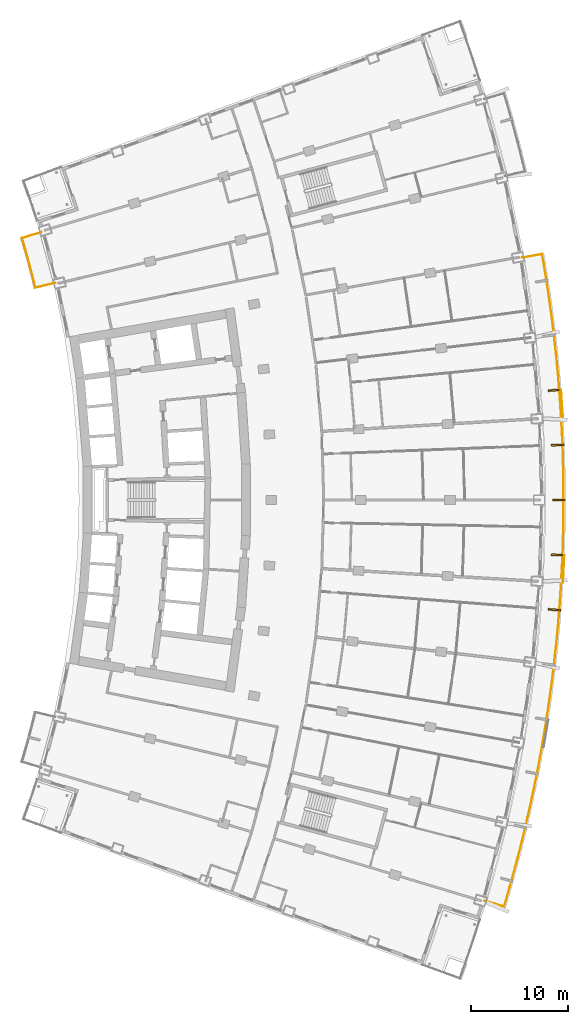
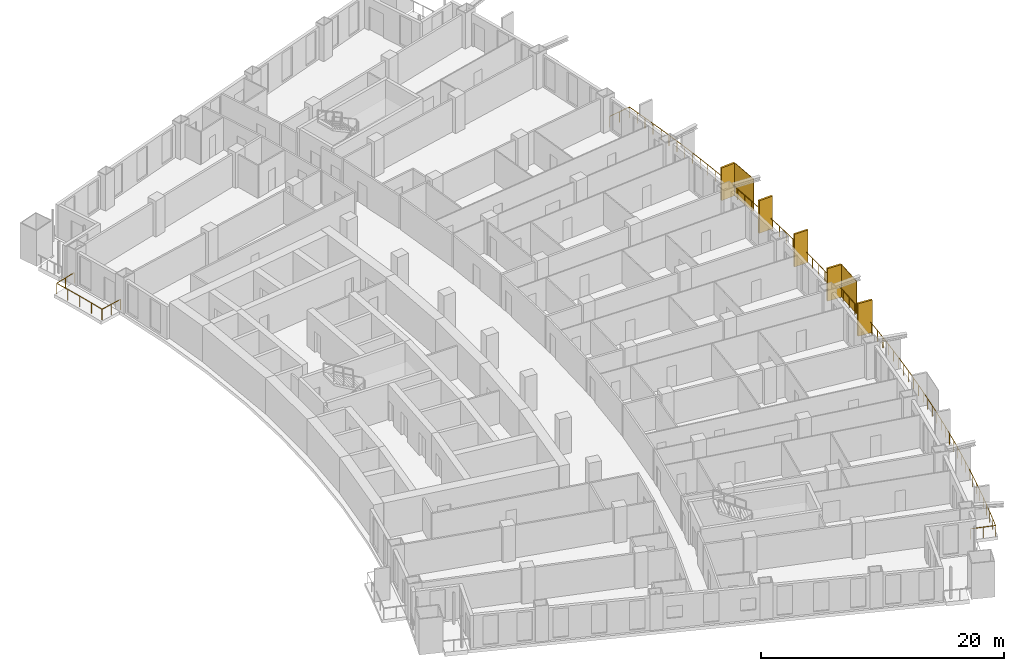
# One storey, part 24 of 25: 7 shading devices, 2 railings.
"""IFC4 building model written with IfcOpenShell, lengths in metres."""

from ifc_helpers import new_model, si_unit, direction, frame, origin, origin_2d, place, context, subcontext, project, spatial, rectangle, extrude, material, layer, layer_set, type_object, element, save


model = new_model("IFC4")

# Units and contexts
model_context = context("Model", 3, precision=1e-05, world=origin(), true_north=direction((0.0, 1.0)))
body_context = subcontext(model_context, "Body", "Model", "MODEL_VIEW")
ifc_project = project(units=[si_unit("LENGTHUNIT", "METRE"), si_unit("AREAUNIT", "SQUARE_METRE"), si_unit("VOLUMEUNIT", "CUBIC_METRE"), si_unit("PLANEANGLEUNIT", "RADIAN"), si_unit("MASSUNIT", "GRAM", prefix="KILO")], contexts=[model_context])

# Site, building, storey
site_placement = place(None, origin())
site = spatial("IfcSite", under=ifc_project, at=site_placement, CompositionType="ELEMENT")
building_placement = place(site_placement, origin())
building = spatial("IfcBuilding", under=site, at=building_placement, Name="Alderwake Tower", CompositionType="ELEMENT")
storey_placement = place(building_placement, frame((0.0, 0.0, 35.60009765625)))
storey = spatial("IfcBuildingStorey", under=building, at=storey_placement, Name="L07", CompositionType="ELEMENT", Elevation=35.60009765625)

# Railings
ifc_material_1 = material(Name="Stainless steel 316 rail and posts", Category="steel")
railing_type = type_object("IfcRailingType", Name="Balcony guard 1100", PredefinedType="GUARDRAIL", material=ifc_material_1)
railing_1_placement = place(storey_placement, frame((57.755126953125, 19.744873046875, 0.0)))
element("IfcRailing", 1, at=railing_1_placement, inside=storey, type_object=railing_type, Name="Guard BF02", PredefinedType="GUARDRAIL", context=body_context, shape_type="SweptSolid", body=[
    extrude(rectangle(XDim=0.048095703125, YDim=0.048095703125, at=origin_2d()), frame((0.0, 0.0, 1.076171875), z_axis=(0.957954179098, -0.286921227429, 0.0), x_axis=(0.286921227429, 0.957954179098, 0.0)), (0.0, 0.0, 1.0), 2.10009765625),
    extrude(rectangle(XDim=0.048095703125, YDim=0.048095703125, at=origin_2d()), frame((2.01171875, -0.6025390625, 1.076171875), z_axis=(0.280171060033, 0.959950090953, 0.0), x_axis=(-0.959950090953, 0.280171060033, 0.0)), (0.0, 0.0, 1.0), 2.02783203125),
    extrude(rectangle(XDim=0.048095703125, YDim=0.048095703125, at=origin_2d()), frame((2.579833984375, 1.343994140625, 1.076171875), z_axis=(0.266542966144, 0.963823037284, 0.0), x_axis=(-0.963823037284, 0.266542966144, 0.0)), (0.0, 0.0, 1.0), 2.127685546875),
    extrude(rectangle(XDim=0.048095703125, YDim=0.048095703125, at=origin_2d()), frame((3.14697265625, 3.394775390625, 1.076171875), z_axis=(0.252459268242, 0.967607522645, 0.0), x_axis=(-0.967607522645, 0.252459268242, 0.0)), (0.0, 0.0, 1.0), 2.12744140625),
    extrude(rectangle(XDim=0.048095703125, YDim=0.048095703125, at=origin_2d()), frame((3.68408203125, 5.453369140625, 1.076171875), z_axis=(0.238321589678, 0.971186295153, 0.0), x_axis=(-0.971186295153, 0.238321589678, 0.0)), (0.0, 0.0, 1.0), 2.127685546875),
    extrude(rectangle(XDim=0.048095703125, YDim=0.048095703125, at=origin_2d()), frame((4.191162109375, 7.519775390625, 1.076171875), z_axis=(0.22408012989, 0.974570723646, 0.0), x_axis=(-0.974570723646, 0.22408012989, 0.0)), (0.0, 0.0, 1.0), 2.1279296875),
    extrude(rectangle(XDim=0.048095703125, YDim=0.048095703125, at=origin_2d()), frame((4.66796875, 9.593505859375, 1.076171875), z_axis=(0.209866030644, 0.977730151515, 0.0), x_axis=(-0.977730151515, 0.209866030644, 0.0)), (0.0, 0.0, 1.0), 2.127685546875),
    extrude(rectangle(XDim=0.048095703125, YDim=0.048095703125, at=origin_2d()), frame((5.114501953125, 11.673828125, 1.076171875), z_axis=(0.195652690442, 0.980673250743, 0.0), x_axis=(-0.980673250743, 0.195652690442, 0.0)), (0.0, 0.0, 1.0), 2.12744140625),
    extrude(rectangle(XDim=0.048095703125, YDim=0.048095703125, at=origin_2d()), frame((5.53076171875, 13.76025390625, 1.076171875), z_axis=(0.1812880033, 0.98343004828, 0.0), x_axis=(-0.98343004828, 0.1812880033, 0.0)), (0.0, 0.0, 1.0), 2.127685546875),
    extrude(rectangle(XDim=0.048095703125, YDim=0.048095703125, at=origin_2d()), frame((5.91650390625, 15.852783203125, 1.076171875), z_axis=(0.166947539814, 0.985965779807, 0.0), x_axis=(-0.985965779807, 0.166947539814, 0.0)), (0.0, 0.0, 1.0), 2.127685546875),
    extrude(rectangle(XDim=0.048095703125, YDim=0.048095703125, at=origin_2d()), frame((6.271728515625, 17.95068359375, 1.076171875), z_axis=(0.152496916834, 0.988303946343, 0.0), x_axis=(-0.988303946343, 0.152496916834, 0.0)), (0.0, 0.0, 1.0), 2.127685546875),
    extrude(rectangle(XDim=0.048095703125, YDim=0.048095703125, at=origin_2d()), frame((6.59619140625, 20.053466796875, 1.076171875), z_axis=(0.138046822125, 0.990425703877, 0.0), x_axis=(-0.990425703877, 0.138046822125, 0.0)), (0.0, 0.0, 1.0), 2.12744140625),
    extrude(rectangle(XDim=0.048095703125, YDim=0.048095703125, at=origin_2d()), frame((6.889892578125, 22.16064453125, 1.076171875), z_axis=(0.123695786423, 0.992320186442, 0.0), x_axis=(-0.992320186442, 0.123695786423, 0.0)), (0.0, 0.0, 1.0), 2.127685546875),
    extrude(rectangle(XDim=0.048095703125, YDim=0.048095703125, at=origin_2d()), frame((7.153076171875, 24.27197265625, 1.076171875), z_axis=(0.109121667916, 0.994028400797, 0.0), x_axis=(-0.994028400797, 0.109121667916, 0.0)), (0.0, 0.0, 1.0), 2.127685546875),
    extrude(rectangle(XDim=0.048095703125, YDim=0.048095703125, at=origin_2d()), frame((7.38525390625, 26.386962890625, 1.076171875), z_axis=(0.094662891104, 0.995509385716, 0.0), x_axis=(-0.995509385716, 0.094662891104, 0.0)), (0.0, 0.0, 1.0), 2.127685546875),
    extrude(rectangle(XDim=0.048095703125, YDim=0.048095703125, at=origin_2d()), frame((7.586669921875, 28.505126953125, 1.076171875), z_axis=(0.080091823172, 0.99678748982, 0.0), x_axis=(-0.99678748982, 0.080091823172, 0.0)), (0.0, 0.0, 1.0), 2.127685546875),
    extrude(rectangle(XDim=0.048095703125, YDim=0.048095703125, at=origin_2d()), frame((7.757080078125, 30.6259765625, 1.076171875), z_axis=(0.065635530774, 0.997843663657, 0.0), x_axis=(-0.997843663657, 0.065635530774, 0.0)), (0.0, 0.0, 1.0), 2.127685546875),
    extrude(rectangle(XDim=0.048095703125, YDim=0.048095703125, at=origin_2d()), frame((7.896728515625, 32.7490234375, 1.076171875), z_axis=(0.051059231835, 0.998695626727, 0.0), x_axis=(-0.998695626727, 0.051059231835, 0.0)), (0.0, 0.0, 1.0), 2.127685546875),
    extrude(rectangle(XDim=0.048095703125, YDim=0.048095703125, at=origin_2d()), frame((8.00537109375, 34.8740234375, 1.076171875), z_axis=(0.036375038735, 0.999338209295, 0.0), x_axis=(-0.999338209295, 0.036375038735, 0.0)), (0.0, 0.0, 1.0), 2.127685546875),
    extrude(rectangle(XDim=0.048095703125, YDim=0.048095703125, at=origin_2d()), frame((8.082763671875, 37.000244140625, 1.076171875), z_axis=(0.021916001925, 0.999759815586, 0.0), x_axis=(-0.999759815586, 0.021916001925, 0.0)), (0.0, 0.0, 1.0), 2.127685546875),
    extrude(rectangle(XDim=0.048095703125, YDim=0.048095703125, at=origin_2d()), frame((8.12939453125, 39.12744140625, 1.076171875), z_axis=(0.007228726789, 0.999973872413, 0.0), x_axis=(-0.999973872413, 0.007228726789, 0.0)), (0.0, 0.0, 1.0), 2.127685546875),
    extrude(rectangle(XDim=0.048095703125, YDim=0.048095703125, at=origin_2d()), frame((8.144775390625, 41.255126953125, 1.076171875), z_axis=(-0.007228726789, 0.999973872413, 0.0), x_axis=(-0.999973872413, -0.007228726789, 0.0)), (0.0, 0.0, 1.0), 2.127685546875),
    extrude(rectangle(XDim=0.048095703125, YDim=0.048095703125, at=origin_2d()), frame((8.12939453125, 43.3828125, 1.076171875), z_axis=(-0.021916001925, 0.999759815586, 0.0), x_axis=(-0.999759815586, -0.021916001925, 0.0)), (0.0, 0.0, 1.0), 2.127685546875),
    extrude(rectangle(XDim=0.048095703125, YDim=0.048095703125, at=origin_2d()), frame((8.082763671875, 45.510009765625, 1.076171875), z_axis=(-0.036375038735, 0.999338209295, 0.0), x_axis=(-0.999338209295, -0.036375038735, 0.0)), (0.0, 0.0, 1.0), 2.127685546875),
    extrude(rectangle(XDim=0.048095703125, YDim=0.048095703125, at=origin_2d()), frame((8.00537109375, 47.63623046875, 1.076171875), z_axis=(-0.051059231835, 0.998695626727, 0.0), x_axis=(-0.998695626727, -0.051059231835, 0.0)), (0.0, 0.0, 1.0), 2.127685546875),
    extrude(rectangle(XDim=0.048095703125, YDim=0.048095703125, at=origin_2d()), frame((7.896728515625, 49.76123046875, 1.076171875), z_axis=(-0.065635530774, 0.997843663657, 0.0), x_axis=(-0.997843663657, -0.065635530774, 0.0)), (0.0, 0.0, 1.0), 2.127685546875),
    extrude(rectangle(XDim=0.048095703125, YDim=0.048095703125, at=origin_2d()), frame((7.757080078125, 51.88427734375, 1.076171875), z_axis=(-0.080091823172, 0.99678748982, 0.0), x_axis=(-0.99678748982, -0.080091823172, 0.0)), (0.0, 0.0, 1.0), 2.127685546875),
    extrude(rectangle(XDim=0.048095703125, YDim=0.048095703125, at=origin_2d()), frame((7.586669921875, 54.005126953125, 1.076171875), z_axis=(-0.094662891104, 0.995509385716, 0.0), x_axis=(-0.995509385716, -0.094662891104, 0.0)), (0.0, 0.0, 1.0), 2.127685546875),
    extrude(rectangle(XDim=0.048095703125, YDim=0.048095703125, at=origin_2d()), frame((7.38525390625, 56.123291015625, 1.076171875), z_axis=(-0.109121667916, 0.994028400797, 0.0), x_axis=(-0.994028400797, -0.109121667916, 0.0)), (0.0, 0.0, 1.0), 2.127685546875),
    extrude(rectangle(XDim=0.048095703125, YDim=0.048095703125, at=origin_2d()), frame((7.153076171875, 58.23828125, 1.076171875), z_axis=(-0.123695786423, 0.992320186442, 0.0), x_axis=(-0.992320186442, -0.123695786423, 0.0)), (0.0, 0.0, 1.0), 2.127685546875),
    extrude(rectangle(XDim=0.048095703125, YDim=0.048095703125, at=origin_2d()), frame((6.889892578125, 60.349609375, 1.076171875), z_axis=(-0.138046822125, 0.990425703877, 0.0), x_axis=(-0.990425703877, -0.138046822125, 0.0)), (0.0, 0.0, 1.0), 2.12744140625),
    extrude(rectangle(XDim=0.048095703125, YDim=0.048095703125, at=origin_2d()), frame((6.59619140625, 62.456787109375, 1.076171875), z_axis=(-0.152496916834, 0.988303946343, 0.0), x_axis=(-0.988303946343, -0.152496916834, 0.0)), (0.0, 0.0, 1.0), 2.127685546875),
    extrude(rectangle(XDim=0.048095703125, YDim=0.048095703125, at=origin_2d()), frame((6.271728515625, 64.5595703125, 1.076171875), z_axis=(-0.166624216453, 0.986020471639, 0.0), x_axis=(-0.986020471639, -0.166624216453, 0.0)), (0.0, 0.0, 1.0), 2.02783203125),
    extrude(rectangle(XDim=0.048095703125, YDim=0.048095703125, at=origin_2d()), frame((5.933837890625, 66.55908203125, 1.076171875), z_axis=(-0.984840855066, -0.173460341844, 0.0), x_axis=(0.173460341844, -0.984840855066, 0.0)), (0.0, 0.0, 1.0), 2.099853515625),
    extrude(rectangle(XDim=0.0419921875, YDim=0.0419921875, at=origin_2d()), frame((0.0, 0.0, 0.0), z_axis=(0.0, 0.0, 1.0), x_axis=(0.957954179098, -0.286921227429, 0.0)), (0.0, 0.0, 1.0), 1.052001953125),
    extrude(rectangle(XDim=0.0419921875, YDim=0.0419921875, at=origin_2d()), frame((1.005859375, -0.30126953125, 0.0), z_axis=(0.0, 0.0, 1.0), x_axis=(0.957954179098, -0.286921227429, 0.0)), (0.0, 0.0, 1.0), 1.052001953125),
    extrude(rectangle(XDim=0.0419921875, YDim=0.0419921875, at=origin_2d()), frame((2.01171875, -0.6025390625, 0.0), z_axis=(0.0, 0.0, 1.0), x_axis=(0.280171060033, 0.959950090953, 0.0)), (0.0, 0.0, 1.0), 1.052001953125),
    extrude(rectangle(XDim=0.0419921875, YDim=0.0419921875, at=origin_2d()), frame((2.2958984375, 0.37060546875, 0.0), z_axis=(0.0, 0.0, 1.0), x_axis=(0.280171060033, 0.959950090953, 0.0)), (0.0, 0.0, 1.0), 1.052001953125),
    extrude(rectangle(XDim=0.0419921875, YDim=0.0419921875, at=origin_2d()), frame((2.579833984375, 1.343994140625, 0.0), z_axis=(0.0, 0.0, 1.0), x_axis=(0.266542966144, 0.963823037284, 0.0)), (0.0, 0.0, 1.0), 1.052001953125),
    extrude(rectangle(XDim=0.0419921875, YDim=0.0419921875, at=origin_2d()), frame((2.86328125, 2.369384765625, 0.0), z_axis=(0.0, 0.0, 1.0), x_axis=(0.266542966144, 0.963823037284, 0.0)), (0.0, 0.0, 1.0), 1.052001953125),
    extrude(rectangle(XDim=0.0419921875, YDim=0.0419921875, at=origin_2d()), frame((3.14697265625, 3.394775390625, 0.0), z_axis=(0.0, 0.0, 1.0), x_axis=(0.252459268242, 0.967607522645, 0.0)), (0.0, 0.0, 1.0), 1.052001953125),
    extrude(rectangle(XDim=0.0419921875, YDim=0.0419921875, at=origin_2d()), frame((3.41552734375, 4.424072265625, 0.0), z_axis=(0.0, 0.0, 1.0), x_axis=(0.252459268242, 0.967607522645, 0.0)), (0.0, 0.0, 1.0), 1.052001953125),
    extrude(rectangle(XDim=0.0419921875, YDim=0.0419921875, at=origin_2d()), frame((3.68408203125, 5.453369140625, 0.0), z_axis=(0.0, 0.0, 1.0), x_axis=(0.238321589678, 0.971186295153, 0.0)), (0.0, 0.0, 1.0), 1.052001953125),
    extrude(rectangle(XDim=0.0419921875, YDim=0.0419921875, at=origin_2d()), frame((3.9375, 6.486572265625, 0.0), z_axis=(0.0, 0.0, 1.0), x_axis=(0.238321589678, 0.971186295153, 0.0)), (0.0, 0.0, 1.0), 1.052001953125),
    extrude(rectangle(XDim=0.0419921875, YDim=0.0419921875, at=origin_2d()), frame((4.191162109375, 7.519775390625, 0.0), z_axis=(0.0, 0.0, 1.0), x_axis=(0.22408012989, 0.974570723646, 0.0)), (0.0, 0.0, 1.0), 1.052001953125),
    extrude(rectangle(XDim=0.0419921875, YDim=0.0419921875, at=origin_2d()), frame((4.4296875, 8.556640625, 0.0), z_axis=(0.0, 0.0, 1.0), x_axis=(0.22408012989, 0.974570723646, 0.0)), (0.0, 0.0, 1.0), 1.052001953125),
    extrude(rectangle(XDim=0.0419921875, YDim=0.0419921875, at=origin_2d()), frame((4.66796875, 9.593505859375, 0.0), z_axis=(0.0, 0.0, 1.0), x_axis=(0.209866030644, 0.977730151515, 0.0)), (0.0, 0.0, 1.0), 1.052001953125),
    extrude(rectangle(XDim=0.0419921875, YDim=0.0419921875, at=origin_2d()), frame((4.89111328125, 10.6337890625, 0.0), z_axis=(0.0, 0.0, 1.0), x_axis=(0.209866030644, 0.977730151515, 0.0)), (0.0, 0.0, 1.0), 1.052001953125),
    extrude(rectangle(XDim=0.0419921875, YDim=0.0419921875, at=origin_2d()), frame((5.114501953125, 11.673828125, 0.0), z_axis=(0.0, 0.0, 1.0), x_axis=(0.195652690442, 0.980673250743, 0.0)), (0.0, 0.0, 1.0), 1.052001953125),
    extrude(rectangle(XDim=0.0419921875, YDim=0.0419921875, at=origin_2d()), frame((5.32275390625, 12.717041015625, 0.0), z_axis=(0.0, 0.0, 1.0), x_axis=(0.195652690442, 0.980673250743, 0.0)), (0.0, 0.0, 1.0), 1.052001953125),
    extrude(rectangle(XDim=0.0419921875, YDim=0.0419921875, at=origin_2d()), frame((5.53076171875, 13.76025390625, 0.0), z_axis=(0.0, 0.0, 1.0), x_axis=(0.1812880033, 0.98343004828, 0.0)), (0.0, 0.0, 1.0), 1.052001953125),
    extrude(rectangle(XDim=0.0419921875, YDim=0.0419921875, at=origin_2d()), frame((5.7236328125, 14.806640625, 0.0), z_axis=(0.0, 0.0, 1.0), x_axis=(0.1812880033, 0.98343004828, 0.0)), (0.0, 0.0, 1.0), 1.052001953125),
    extrude(rectangle(XDim=0.0419921875, YDim=0.0419921875, at=origin_2d()), frame((5.91650390625, 15.852783203125, 0.0), z_axis=(0.0, 0.0, 1.0), x_axis=(0.166947539814, 0.985965779807, 0.0)), (0.0, 0.0, 1.0), 1.052001953125),
    extrude(rectangle(XDim=0.0419921875, YDim=0.0419921875, at=origin_2d()), frame((6.09423828125, 16.90185546875, 0.0), z_axis=(0.0, 0.0, 1.0), x_axis=(0.166947539814, 0.985965779807, 0.0)), (0.0, 0.0, 1.0), 1.052001953125),
    extrude(rectangle(XDim=0.0419921875, YDim=0.0419921875, at=origin_2d()), frame((6.271728515625, 17.95068359375, 0.0), z_axis=(0.0, 0.0, 1.0), x_axis=(0.152496916834, 0.988303946343, 0.0)), (0.0, 0.0, 1.0), 1.052001953125),
    extrude(rectangle(XDim=0.0419921875, YDim=0.0419921875, at=origin_2d()), frame((6.43408203125, 19.001953125, 0.0), z_axis=(0.0, 0.0, 1.0), x_axis=(0.152496916834, 0.988303946343, 0.0)), (0.0, 0.0, 1.0), 1.052001953125),
    extrude(rectangle(XDim=0.0419921875, YDim=0.0419921875, at=origin_2d()), frame((6.59619140625, 20.053466796875, 0.0), z_axis=(0.0, 0.0, 1.0), x_axis=(0.138046822125, 0.990425703877, 0.0)), (0.0, 0.0, 1.0), 1.052001953125),
    extrude(rectangle(XDim=0.0419921875, YDim=0.0419921875, at=origin_2d()), frame((6.7431640625, 21.10693359375, 0.0), z_axis=(0.0, 0.0, 1.0), x_axis=(0.138046822125, 0.990425703877, 0.0)), (0.0, 0.0, 1.0), 1.052001953125),
    extrude(rectangle(XDim=0.0419921875, YDim=0.0419921875, at=origin_2d()), frame((6.889892578125, 22.16064453125, 0.0), z_axis=(0.0, 0.0, 1.0), x_axis=(0.123695786423, 0.992320186442, 0.0)), (0.0, 0.0, 1.0), 1.052001953125),
    extrude(rectangle(XDim=0.0419921875, YDim=0.0419921875, at=origin_2d()), frame((7.021484375, 23.21630859375, 0.0), z_axis=(0.0, 0.0, 1.0), x_axis=(0.123695786423, 0.992320186442, 0.0)), (0.0, 0.0, 1.0), 1.052001953125),
    extrude(rectangle(XDim=0.0419921875, YDim=0.0419921875, at=origin_2d()), frame((7.153076171875, 24.27197265625, 0.0), z_axis=(0.0, 0.0, 1.0), x_axis=(0.109121667916, 0.994028400797, 0.0)), (0.0, 0.0, 1.0), 1.052001953125),
    extrude(rectangle(XDim=0.0419921875, YDim=0.0419921875, at=origin_2d()), frame((7.26904296875, 25.32958984375, 0.0), z_axis=(0.0, 0.0, 1.0), x_axis=(0.109121667916, 0.994028400797, 0.0)), (0.0, 0.0, 1.0), 1.052001953125),
    extrude(rectangle(XDim=0.0419921875, YDim=0.0419921875, at=origin_2d()), frame((7.38525390625, 26.386962890625, 0.0), z_axis=(0.0, 0.0, 1.0), x_axis=(0.094662891104, 0.995509385716, 0.0)), (0.0, 0.0, 1.0), 1.052001953125),
    extrude(rectangle(XDim=0.0419921875, YDim=0.0419921875, at=origin_2d()), frame((7.48583984375, 27.446044921875, 0.0), z_axis=(0.0, 0.0, 1.0), x_axis=(0.094662891104, 0.995509385716, 0.0)), (0.0, 0.0, 1.0), 1.052001953125),
    extrude(rectangle(XDim=0.0419921875, YDim=0.0419921875, at=origin_2d()), frame((7.586669921875, 28.505126953125, 0.0), z_axis=(0.0, 0.0, 1.0), x_axis=(0.080091823172, 0.99678748982, 0.0)), (0.0, 0.0, 1.0), 1.052001953125),
    extrude(rectangle(XDim=0.0419921875, YDim=0.0419921875, at=origin_2d()), frame((7.671875, 29.5654296875, 0.0), z_axis=(0.0, 0.0, 1.0), x_axis=(0.080091823172, 0.99678748982, 0.0)), (0.0, 0.0, 1.0), 1.052001953125),
    extrude(rectangle(XDim=0.0419921875, YDim=0.0419921875, at=origin_2d()), frame((7.757080078125, 30.6259765625, 0.0), z_axis=(0.0, 0.0, 1.0), x_axis=(0.065635530774, 0.997843663657, 0.0)), (0.0, 0.0, 1.0), 1.052001953125),
    extrude(rectangle(XDim=0.0419921875, YDim=0.0419921875, at=origin_2d()), frame((7.826904296875, 31.6875, 0.0), z_axis=(0.0, 0.0, 1.0), x_axis=(0.065635530774, 0.997843663657, 0.0)), (0.0, 0.0, 1.0), 1.052001953125),
    extrude(rectangle(XDim=0.0419921875, YDim=0.0419921875, at=origin_2d()), frame((7.896728515625, 32.7490234375, 0.0), z_axis=(0.0, 0.0, 1.0), x_axis=(0.051059231835, 0.998695626727, 0.0)), (0.0, 0.0, 1.0), 1.052001953125),
    extrude(rectangle(XDim=0.0419921875, YDim=0.0419921875, at=origin_2d()), frame((7.951171875, 33.8115234375, 0.0), z_axis=(0.0, 0.0, 1.0), x_axis=(0.051059231835, 0.998695626727, 0.0)), (0.0, 0.0, 1.0), 1.052001953125),
    extrude(rectangle(XDim=0.0419921875, YDim=0.0419921875, at=origin_2d()), frame((8.00537109375, 34.8740234375, 0.0), z_axis=(0.0, 0.0, 1.0), x_axis=(0.036375038735, 0.999338209295, 0.0)), (0.0, 0.0, 1.0), 1.052001953125),
    extrude(rectangle(XDim=0.0419921875, YDim=0.0419921875, at=origin_2d()), frame((8.0439453125, 35.93701171875, 0.0), z_axis=(0.0, 0.0, 1.0), x_axis=(0.036375038735, 0.999338209295, 0.0)), (0.0, 0.0, 1.0), 1.052001953125),
    extrude(rectangle(XDim=0.0419921875, YDim=0.0419921875, at=origin_2d()), frame((8.082763671875, 37.000244140625, 0.0), z_axis=(0.0, 0.0, 1.0), x_axis=(0.021916001925, 0.999759815586, 0.0)), (0.0, 0.0, 1.0), 1.052001953125),
    extrude(rectangle(XDim=0.0419921875, YDim=0.0419921875, at=origin_2d()), frame((8.10595703125, 38.06396484375, 0.0), z_axis=(0.0, 0.0, 1.0), x_axis=(0.021916001925, 0.999759815586, 0.0)), (0.0, 0.0, 1.0), 1.052001953125),
    extrude(rectangle(XDim=0.0419921875, YDim=0.0419921875, at=origin_2d()), frame((8.12939453125, 39.12744140625, 0.0), z_axis=(0.0, 0.0, 1.0), x_axis=(0.007228726789, 0.999973872413, 0.0)), (0.0, 0.0, 1.0), 1.052001953125),
    extrude(rectangle(XDim=0.0419921875, YDim=0.0419921875, at=origin_2d()), frame((8.13720703125, 40.19140625, 0.0), z_axis=(0.0, 0.0, 1.0), x_axis=(0.007228726789, 0.999973872413, 0.0)), (0.0, 0.0, 1.0), 1.052001953125),
    extrude(rectangle(XDim=0.0419921875, YDim=0.0419921875, at=origin_2d()), frame((8.144775390625, 41.255126953125, 0.0), z_axis=(0.0, 0.0, 1.0), x_axis=(-0.007228726789, 0.999973872413, 0.0)), (0.0, 0.0, 1.0), 1.052001953125),
    extrude(rectangle(XDim=0.0419921875, YDim=0.0419921875, at=origin_2d()), frame((8.13720703125, 42.31884765625, 0.0), z_axis=(0.0, 0.0, 1.0), x_axis=(-0.007228726789, 0.999973872413, 0.0)), (0.0, 0.0, 1.0), 1.052001953125),
    extrude(rectangle(XDim=0.0419921875, YDim=0.0419921875, at=origin_2d()), frame((8.12939453125, 43.3828125, 0.0), z_axis=(0.0, 0.0, 1.0), x_axis=(-0.021916001925, 0.999759815586, 0.0)), (0.0, 0.0, 1.0), 1.052001953125),
    extrude(rectangle(XDim=0.0419921875, YDim=0.0419921875, at=origin_2d()), frame((8.10595703125, 44.4462890625, 0.0), z_axis=(0.0, 0.0, 1.0), x_axis=(-0.021916001925, 0.999759815586, 0.0)), (0.0, 0.0, 1.0), 1.052001953125),
    extrude(rectangle(XDim=0.0419921875, YDim=0.0419921875, at=origin_2d()), frame((8.082763671875, 45.510009765625, 0.0), z_axis=(0.0, 0.0, 1.0), x_axis=(-0.036375038735, 0.999338209295, 0.0)), (0.0, 0.0, 1.0), 1.052001953125),
    extrude(rectangle(XDim=0.0419921875, YDim=0.0419921875, at=origin_2d()), frame((8.0439453125, 46.5732421875, 0.0), z_axis=(0.0, 0.0, 1.0), x_axis=(-0.036375038735, 0.999338209295, 0.0)), (0.0, 0.0, 1.0), 1.052001953125),
    extrude(rectangle(XDim=0.0419921875, YDim=0.0419921875, at=origin_2d()), frame((8.00537109375, 47.63623046875, 0.0), z_axis=(0.0, 0.0, 1.0), x_axis=(-0.051059231835, 0.998695626727, 0.0)), (0.0, 0.0, 1.0), 1.052001953125),
    extrude(rectangle(XDim=0.0419921875, YDim=0.0419921875, at=origin_2d()), frame((7.951171875, 48.69873046875, 0.0), z_axis=(0.0, 0.0, 1.0), x_axis=(-0.051059231835, 0.998695626727, 0.0)), (0.0, 0.0, 1.0), 1.052001953125),
    extrude(rectangle(XDim=0.0419921875, YDim=0.0419921875, at=origin_2d()), frame((7.896728515625, 49.76123046875, 0.0), z_axis=(0.0, 0.0, 1.0), x_axis=(-0.065635530774, 0.997843663657, 0.0)), (0.0, 0.0, 1.0), 1.052001953125),
    extrude(rectangle(XDim=0.0419921875, YDim=0.0419921875, at=origin_2d()), frame((7.826904296875, 50.82275390625, 0.0), z_axis=(0.0, 0.0, 1.0), x_axis=(-0.065635530774, 0.997843663657, 0.0)), (0.0, 0.0, 1.0), 1.052001953125),
    extrude(rectangle(XDim=0.0419921875, YDim=0.0419921875, at=origin_2d()), frame((7.757080078125, 51.88427734375, 0.0), z_axis=(0.0, 0.0, 1.0), x_axis=(-0.080091823172, 0.99678748982, 0.0)), (0.0, 0.0, 1.0), 1.052001953125),
    extrude(rectangle(XDim=0.0419921875, YDim=0.0419921875, at=origin_2d()), frame((7.671875, 52.94482421875, 0.0), z_axis=(0.0, 0.0, 1.0), x_axis=(-0.080091823172, 0.99678748982, 0.0)), (0.0, 0.0, 1.0), 1.052001953125),
    extrude(rectangle(XDim=0.0419921875, YDim=0.0419921875, at=origin_2d()), frame((7.586669921875, 54.005126953125, 0.0), z_axis=(0.0, 0.0, 1.0), x_axis=(-0.094662891104, 0.995509385716, 0.0)), (0.0, 0.0, 1.0), 1.052001953125),
    extrude(rectangle(XDim=0.0419921875, YDim=0.0419921875, at=origin_2d()), frame((7.48583984375, 55.064208984375, 0.0), z_axis=(0.0, 0.0, 1.0), x_axis=(-0.094662891104, 0.995509385716, 0.0)), (0.0, 0.0, 1.0), 1.052001953125),
    extrude(rectangle(XDim=0.0419921875, YDim=0.0419921875, at=origin_2d()), frame((7.38525390625, 56.123291015625, 0.0), z_axis=(0.0, 0.0, 1.0), x_axis=(-0.109121667916, 0.994028400797, 0.0)), (0.0, 0.0, 1.0), 1.052001953125),
    extrude(rectangle(XDim=0.0419921875, YDim=0.0419921875, at=origin_2d()), frame((7.26904296875, 57.1806640625, 0.0), z_axis=(0.0, 0.0, 1.0), x_axis=(-0.109121667916, 0.994028400797, 0.0)), (0.0, 0.0, 1.0), 1.052001953125),
    extrude(rectangle(XDim=0.0419921875, YDim=0.0419921875, at=origin_2d()), frame((7.153076171875, 58.23828125, 0.0), z_axis=(0.0, 0.0, 1.0), x_axis=(-0.123695786423, 0.992320186442, 0.0)), (0.0, 0.0, 1.0), 1.052001953125),
    extrude(rectangle(XDim=0.0419921875, YDim=0.0419921875, at=origin_2d()), frame((7.021484375, 59.2939453125, 0.0), z_axis=(0.0, 0.0, 1.0), x_axis=(-0.123695786423, 0.992320186442, 0.0)), (0.0, 0.0, 1.0), 1.052001953125),
    extrude(rectangle(XDim=0.0419921875, YDim=0.0419921875, at=origin_2d()), frame((6.889892578125, 60.349609375, 0.0), z_axis=(0.0, 0.0, 1.0), x_axis=(-0.138046822125, 0.990425703877, 0.0)), (0.0, 0.0, 1.0), 1.052001953125),
    extrude(rectangle(XDim=0.0419921875, YDim=0.0419921875, at=origin_2d()), frame((6.7431640625, 61.4033203125, 0.0), z_axis=(0.0, 0.0, 1.0), x_axis=(-0.138046822125, 0.990425703877, 0.0)), (0.0, 0.0, 1.0), 1.052001953125),
    extrude(rectangle(XDim=0.0419921875, YDim=0.0419921875, at=origin_2d()), frame((6.59619140625, 62.456787109375, 0.0), z_axis=(0.0, 0.0, 1.0), x_axis=(-0.152496916834, 0.988303946343, 0.0)), (0.0, 0.0, 1.0), 1.052001953125),
    extrude(rectangle(XDim=0.0419921875, YDim=0.0419921875, at=origin_2d()), frame((6.43408203125, 63.50830078125, 0.0), z_axis=(0.0, 0.0, 1.0), x_axis=(-0.152496916834, 0.988303946343, 0.0)), (0.0, 0.0, 1.0), 1.052001953125),
    extrude(rectangle(XDim=0.0419921875, YDim=0.0419921875, at=origin_2d()), frame((6.271728515625, 64.5595703125, 0.0), z_axis=(0.0, 0.0, 1.0), x_axis=(-0.166624216453, 0.986020471639, 0.0)), (0.0, 0.0, 1.0), 1.052001953125),
    extrude(rectangle(XDim=0.0419921875, YDim=0.0419921875, at=origin_2d()), frame((6.102783203125, 65.559326171875, 0.0), z_axis=(0.0, 0.0, 1.0), x_axis=(-0.166624216453, 0.986020471639, 0.0)), (0.0, 0.0, 1.0), 1.052001953125),
    extrude(rectangle(XDim=0.0419921875, YDim=0.0419921875, at=origin_2d()), frame((5.933837890625, 66.55908203125, 0.0), z_axis=(0.0, 0.0, 1.0), x_axis=(-0.984840855066, -0.173460341844, 0.0)), (0.0, 0.0, 1.0), 1.052001953125),
    extrude(rectangle(XDim=0.0419921875, YDim=0.0419921875, at=origin_2d()), frame((4.89990234375, 66.376953125, 0.0), z_axis=(0.0, 0.0, 1.0), x_axis=(-0.984840855066, -0.173460341844, 0.0)), (0.0, 0.0, 1.0), 1.052001953125),
    extrude(rectangle(XDim=0.0419921875, YDim=0.0419921875, at=origin_2d()), frame((3.86572265625, 66.19482421875, 0.0), z_axis=(0.0, 0.0, 1.0), x_axis=(-0.984840855066, -0.173460341844, 0.0)), (0.0, 0.0, 1.0), 1.052001953125),
])
railing_2_placement = place(storey_placement, frame((13.5693359375, 83.343017578125, 0.0)))
element("IfcRailing", 2, at=railing_2_placement, inside=storey, type_object=railing_type, Name="Guard BR11", PredefinedType="GUARDRAIL", context=body_context, shape_type="SweptSolid", body=[
    extrude(rectangle(XDim=0.048095703125, YDim=0.048095703125, at=origin_2d()), frame((0.0, 0.0, 1.076171875), z_axis=(-0.972646310656, -0.232291098337, 0.0), x_axis=(0.232291098337, -0.972646310656, 0.0)), (0.0, 0.0, 1.0), 2.099853515625),
    extrude(rectangle(XDim=0.048095703125, YDim=0.048095703125, at=origin_2d()), frame((-2.04248046875, -0.48779296875, 1.076171875), z_axis=(-0.238877101641, 0.971049808358, 0.0), x_axis=(-0.971049808358, -0.238877101641, 0.0)), (0.0, 0.0, 1.0), 1.2724609375),
    extrude(rectangle(XDim=0.048095703125, YDim=0.048095703125, at=origin_2d()), frame((-2.346435546875, 0.747802734375, 1.076171875), z_axis=(-0.252487086228, 0.967600264204, 0.0), x_axis=(-0.967600264204, -0.252487086228, 0.0)), (0.0, 0.0, 1.0), 1.3720703125),
    extrude(rectangle(XDim=0.048095703125, YDim=0.048095703125, at=origin_2d()), frame((-2.69287109375, 2.075439453125, 1.076171875), z_axis=(-0.266487604617, 0.963838345671, 0.0), x_axis=(-0.963838345671, -0.266487604617, 0.0)), (0.0, 0.0, 1.0), 1.372314453125),
    extrude(rectangle(XDim=0.048095703125, YDim=0.048095703125, at=origin_2d()), frame((-3.05859375, 3.398193359375, 1.076171875), z_axis=(-0.279963157487, 0.960010744966, 0.0), x_axis=(-0.960010744966, -0.279963157487, 0.0)), (0.0, 0.0, 1.0), 1.272216796875),
    extrude(rectangle(XDim=0.048095703125, YDim=0.048095703125, at=origin_2d()), frame((-3.414794921875, 4.61962890625, 1.076171875), z_axis=(0.958091458885, 0.286462486918, 0.0), x_axis=(-0.286462486918, 0.958091458885, 0.0)), (0.0, 0.0, 1.0), 2.099853515625),
    extrude(rectangle(XDim=0.0419921875, YDim=0.0419921875, at=origin_2d()), frame((0.0, 0.0, 0.0), z_axis=(0.0, 0.0, 1.0), x_axis=(-0.972646310656, -0.232291098337, 0.0)), (0.0, 0.0, 1.0), 1.052001953125),
    extrude(rectangle(XDim=0.0419921875, YDim=0.0419921875, at=origin_2d()), frame((-1.021240234375, -0.243896484375, 0.0), z_axis=(0.0, 0.0, 1.0), x_axis=(-0.972646310656, -0.232291098337, 0.0)), (0.0, 0.0, 1.0), 1.052001953125),
    extrude(rectangle(XDim=0.0419921875, YDim=0.0419921875, at=origin_2d()), frame((-2.04248046875, -0.48779296875, 0.0), z_axis=(0.0, 0.0, 1.0), x_axis=(-0.238877101641, 0.971049808358, 0.0)), (0.0, 0.0, 1.0), 1.052001953125),
    extrude(rectangle(XDim=0.0419921875, YDim=0.0419921875, at=origin_2d()), frame((-2.346435546875, 0.747802734375, 0.0), z_axis=(0.0, 0.0, 1.0), x_axis=(-0.252487086228, 0.967600264204, 0.0)), (0.0, 0.0, 1.0), 1.052001953125),
    extrude(rectangle(XDim=0.0419921875, YDim=0.0419921875, at=origin_2d()), frame((-2.69287109375, 2.075439453125, 0.0), z_axis=(0.0, 0.0, 1.0), x_axis=(-0.266487604617, 0.963838345671, 0.0)), (0.0, 0.0, 1.0), 1.052001953125),
    extrude(rectangle(XDim=0.0419921875, YDim=0.0419921875, at=origin_2d()), frame((-3.05859375, 3.398193359375, 0.0), z_axis=(0.0, 0.0, 1.0), x_axis=(-0.279963157487, 0.960010744966, 0.0)), (0.0, 0.0, 1.0), 1.052001953125),
    extrude(rectangle(XDim=0.0419921875, YDim=0.0419921875, at=origin_2d()), frame((-3.414794921875, 4.61962890625, 0.0), z_axis=(0.0, 0.0, 1.0), x_axis=(0.958091458885, 0.286462486918, 0.0)), (0.0, 0.0, 1.0), 1.052001953125),
    extrude(rectangle(XDim=0.0419921875, YDim=0.0419921875, at=origin_2d()), frame((-2.40869140625, 4.92041015625, 0.0), z_axis=(0.0, 0.0, 1.0), x_axis=(0.958091458885, 0.286462486918, 0.0)), (0.0, 0.0, 1.0), 1.052001953125),
    extrude(rectangle(XDim=0.0419921875, YDim=0.0419921875, at=origin_2d()), frame((-1.40283203125, 5.22119140625, 0.0), z_axis=(0.0, 0.0, 1.0), x_axis=(0.958091458885, 0.286462486918, 0.0)), (0.0, 0.0, 1.0), 1.052001953125),
])

# Shading devices
ifc_material_2 = material(Name="Bronze anodised aluminium", Category="aluminium")
ifc_layer_1 = layer(ifc_material_2, 0.179931640625)
ifc_layer_set_1 = layer_set([ifc_layer_1], Name="Facade fin 1300")
shading_device_type_1 = type_object("IfcShadingDeviceType", Name="Facade fin 1300", PredefinedType="USERDEFINED", material=ifc_layer_set_1)
for number, where, z_axis, x_axis, name in (
    (3, (64.960205078125, 49.69921875, 0.0), (0.0, 0.0, 1.0), (0.996975122026, -0.077721335943, 0.0), "Fin"),
    (4, (65.2900390625, 55.345458984375, 0.0), (0.0, 0.0, 1.0), (0.999243494356, -0.038890088543, 0.0), "Fin"),
    (5, (65.39990234375, 61.0, 0.0), (0.0, 0.0, 1.0), (1.0, 0.0, 0.0), "Fin"),
    (6, (65.2900390625, 66.654541015625, 0.0), (0.0, 0.0, 1.0), (0.999243494356, 0.038890088543, 0.0), "Fin"),
    (7, (64.960205078125, 72.30078125, 0.0), (0.0, 0.0, 1.0), (0.996975122026, 0.077721335943, 0.0), "Fin"),
):
    element("IfcShadingDevice", number, at=place(storey_placement, frame(where, z_axis=z_axis, x_axis=x_axis)), inside=storey, type_object=shading_device_type_1, Name=name, ObjectType="FIN", PredefinedType="USERDEFINED", context=body_context, shape_type="SweptSolid", body=[
        extrude(rectangle(XDim=1.300048828125, YDim=0.179931640625, at=origin_2d()), origin(), (0.0, 0.0, 1.0), 3.280029296875),
    ])
ifc_material_3 = material(Name="Perforated bronze anodised aluminium", Category="aluminium")
ifc_layer_2 = layer(ifc_material_3, 0.050048828125)
ifc_layer_set_2 = layer_set([ifc_layer_2], Name="Perforated screen panel")
shading_device_type_2 = type_object("IfcShadingDeviceType", Name="Perforated screen panel", PredefinedType="USERDEFINED", material=ifc_layer_set_2)
shading_device_1_placement = place(storey_placement, frame((65.895751953125, 53.90380859375, 0.0), z_axis=(0.0, 0.0, 1.0), x_axis=(0.998819231138, -0.048581308217, 0.0)))
element("IfcShadingDevice", 8, at=shading_device_1_placement, inside=storey, type_object=shading_device_type_2, Name="Screen panel", ObjectType="SCREEN", PredefinedType="USERDEFINED", context=body_context, shape_type="SweptSolid", body=[
    extrude(rectangle(XDim=0.050048828125, YDim=2.833740234375, at=origin_2d()), origin(), (0.0, 0.0, 1.0), 3.280029296875),
])
shading_device_2_placement = place(storey_placement, frame((65.72998046875, 70.932373046875, 0.0), z_axis=(0.0, 0.0, 1.0), x_axis=(0.997685465774, 0.067997877779, 0.0)))
element("IfcShadingDevice", 9, at=shading_device_2_placement, inside=storey, type_object=shading_device_type_2, Name="Screen panel", ObjectType="SCREEN", PredefinedType="USERDEFINED", context=body_context, shape_type="SweptSolid", body=[
    extrude(rectangle(XDim=0.050048828125, YDim=2.848388671875, at=origin_2d()), origin(), (0.0, 0.0, 1.0), 3.280029296875),
])

save(model, "model.ifc")
